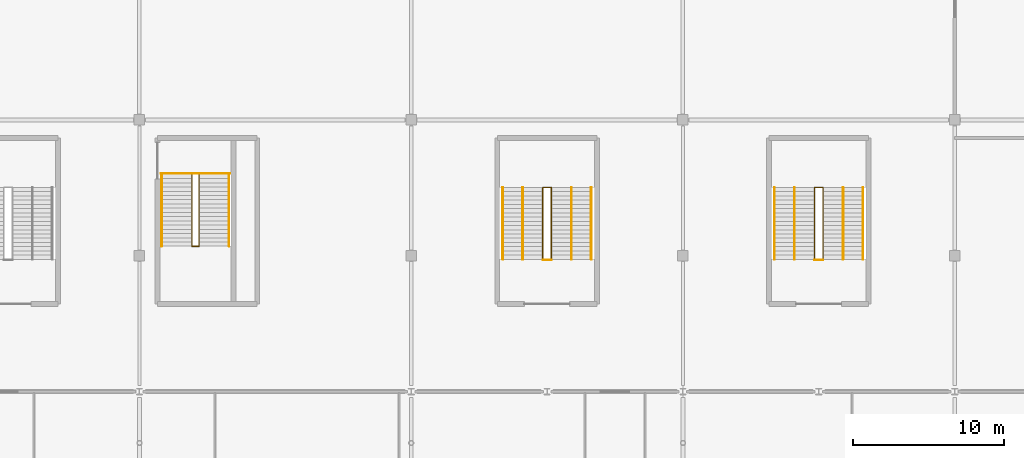
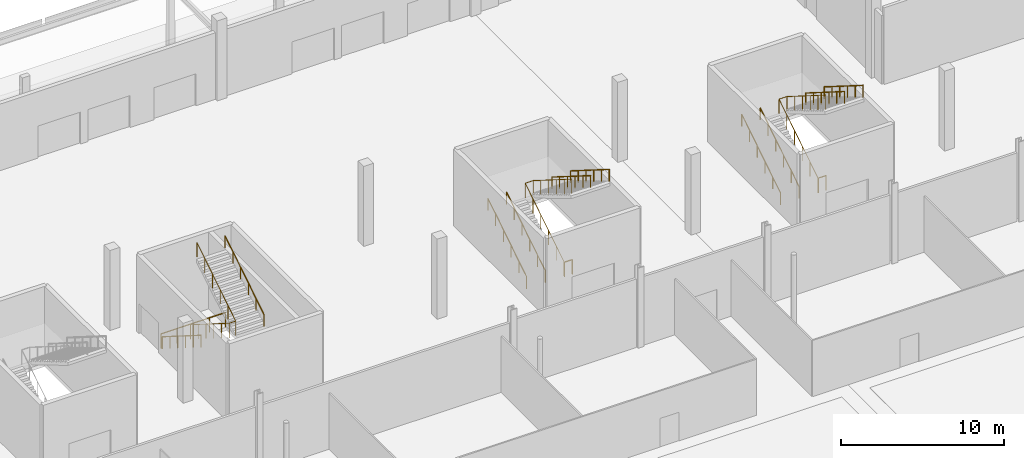
# One storey, part 76 of 84: 16 railings.
"""IFC4 building model written with IfcOpenShell, lengths in metres."""

import ifcopenshell
import ifcopenshell.guid

model = None  # the IFC model being written
_history = None  # IfcOwnerHistory: only IFC2X3 demands one
_inside = {}  # id of a spatial element -> (the spatial element, [elements in it])
_under = {}  # id of a project, library or spatial element -> (it, [spatial elements below it])
_declared = {}  # id of a project -> (the project, [libraries it declares])
_typed = {}  # id of a type object -> (the type object, [elements of that type])
_made_of = {}  # id of a material, layer set ... -> (it, [elements and type objects made of it])


def new_model(schema):
    """Start an empty IFC model of exactly this schema.

    Asked for "IFC4X3", IfcOpenShell would pick the latest addendum, in which some entities
    have other attributes; the version numbers below select the first issue.
    IFC2X3 requires an IfcOwnerHistory on every rooted entity: one is made here for all.
    """
    global model, _history
    if schema == "IFC4X3":
        model = ifcopenshell.file(schema_version=(4, 3, 0, 0))
    else:
        model = ifcopenshell.file(schema=schema)
    _inside.clear()
    _under.clear()
    _declared.clear()
    _typed.clear()
    _made_of.clear()
    _history = None
    if model.schema == "IFC2X3":
        org = make("IfcOrganization", Name="unknown")
        user = make(
            "IfcPersonAndOrganization",
            ThePerson=make("IfcPerson", FamilyName="unknown"),
            TheOrganization=org,
        )
        app = make(
            "IfcApplication",
            ApplicationDeveloper=org,
            Version="unknown",
            ApplicationFullName="unknown",
            ApplicationIdentifier="unknown",
        )
        _history = make(
            "IfcOwnerHistory",
            OwningUser=user,
            OwningApplication=app,
            ChangeAction="ADDED",
            CreationDate=0,
        )
    return model


def make(cls, **values):
    """One entity of the class cls with the attributes given. An attribute that is None is left unset."""
    return model.create_entity(
        cls, **{name: value for name, value in values.items() if value is not None}
    )


def rooted(cls, **values):
    """An entity with a GlobalId (a new one), such as an element, a storey or a relation."""
    return make(cls, GlobalId=ifcopenshell.guid.new(), OwnerHistory=_history, **values)


def si_unit(unit_type, name, prefix=None):
    """IfcSIUnit, for example si_unit("LENGTHUNIT", "METRE", prefix="MILLI")."""
    return make("IfcSIUnit", UnitType=unit_type, Prefix=prefix, Name=name)


def assignment(units):
    """IfcUnitAssignment: the units of a project."""
    return None if units is None else make("IfcUnitAssignment", Units=units)


def point(xyz):
    """IfcCartesianPoint."""
    return None if xyz is None else make("IfcCartesianPoint", Coordinates=xyz)


def direction(xyz):
    """IfcDirection."""
    return None if xyz is None else make("IfcDirection", DirectionRatios=xyz)


def frame(location, z_axis=None, x_axis=None):
    """IfcAxis2Placement3D, a coordinate frame: its origin and axes. An axis left out is left unset."""
    return make(
        "IfcAxis2Placement3D",
        Location=point(location),
        Axis=direction(z_axis),
        RefDirection=direction(x_axis),
    )


def frame_2d(location, x_axis=None):
    """IfcAxis2Placement2D, a coordinate frame in the plane: its origin and x axis."""
    return make(
        "IfcAxis2Placement2D", Location=point(location), RefDirection=direction(x_axis)
    )


def origin():
    """The frame at (0, 0, 0) with its axes left unset."""
    return frame((0.0, 0.0, 0.0))


def origin_2d():
    """The frame at (0, 0) in the plane with its x axis left unset."""
    return frame_2d((0.0, 0.0))


def place(relative_to, where):
    """IfcLocalPlacement: puts the frame where relative to a parent placement (None: the world)."""
    return make(
        "IfcLocalPlacement", PlacementRelTo=relative_to, RelativePlacement=where
    )


def context(
    kind, dimensions, precision=None, world=None, true_north=None, identifier=None
):
    """IfcGeometricRepresentationContext, for example the 3D "Model" context."""
    return make(
        "IfcGeometricRepresentationContext",
        ContextIdentifier=identifier,
        ContextType=kind,
        CoordinateSpaceDimension=dimensions,
        Precision=precision,
        WorldCoordinateSystem=world,
        TrueNorth=true_north,
    )


def subcontext(parent, identifier, kind, view, scale=None):
    """IfcGeometricRepresentationSubContext, for example "Body" below "Model"."""
    return make(
        "IfcGeometricRepresentationSubContext",
        ContextIdentifier=identifier,
        ContextType=kind,
        ParentContext=parent,
        TargetScale=scale,
        TargetView=view,
    )


def project(units=None, contexts=None):
    """IfcProject with its units and contexts."""
    return rooted(
        "IfcProject",
        Name="project",
        RepresentationContexts=contexts,
        UnitsInContext=assignment(units),
    )


def spatial(cls, under=None, at=None, **own):
    """A site, building, storey or space (cls), placed at a placement, below another one or the project."""
    s = rooted(cls, ObjectPlacement=at, **own)
    if under is not None:
        _under.setdefault(under.id(), (under, []))[1].append(s)
    return s


def profile(cls, at=None, kind="AREA", **sizes):
    """A parametric profile (cls). Its sizes go by their IFC names, for example OverallWidth=200.0."""
    return make(cls, ProfileType=kind, Position=at, **sizes)


def circle(**sizes):
    """IfcCircleProfileDef."""
    return profile("IfcCircleProfileDef", **sizes)


def extrude(swept, where, along, depth):
    """IfcExtrudedAreaSolid: the profile swept, set in the frame where, extruded along a direction by depth."""
    return make(
        "IfcExtrudedAreaSolid",
        SweptArea=swept,
        Position=where,
        ExtrudedDirection=direction(along),
        Depth=depth,
    )


def shape(context_of_items, identifier, shape_type, items):
    """IfcShapeRepresentation: the items that make up one representation, for example the "Body"."""
    return make(
        "IfcShapeRepresentation",
        ContextOfItems=context_of_items,
        RepresentationIdentifier=identifier,
        RepresentationType=shape_type,
        Items=items,
    )


def material(Name=None, Category=None):
    """IfcMaterial."""
    return make("IfcMaterial", Name=Name, Category=Category)


def made_of(thing, what):
    """Note that an element or type object is made of a material, layer set ...; save() writes the relation."""
    if what is not None:
        _made_of.setdefault(what.id(), (what, []))[1].append(thing)
    return thing


def type_object(cls, material=None, **own):
    """A type object (cls), such as IfcWallType, which elements share."""
    return made_of(rooted(cls, **own), material)


def element(
    cls,
    number,
    at=None,
    inside=None,
    cuts=None,
    type_object=None,
    material=None,
    context=None,
    identifier="Body",
    shape_type=None,
    held_by="IfcProductDefinitionShape",
    body=None,
    shapes=None,
    **own,
):
    """One element of the class cls, such as IfcWall. Its Tag is "e" and its number.

    at: its placement. inside: the storey or other place that contains it. cuts: it is an
    opening in that element (IfcRelVoidsElement). A single representation is given by context,
    identifier, shape_type and body (its items); several are given by shapes. held_by: the class
    of the entity that holds the representations. save() writes the other relations.
    """
    e = rooted(cls, Tag="e%d" % number, ObjectPlacement=at, **own)
    if body is not None:
        shapes = [shape(context, identifier, shape_type, body)]
    if shapes is not None:
        e.Representation = make(held_by, Representations=shapes)
    if inside is not None:
        _inside.setdefault(inside.id(), (inside, []))[1].append(e)
    if cuts is not None:
        rooted(
            "IfcRelVoidsElement", RelatingBuildingElement=cuts, RelatedOpeningElement=e
        )
    if type_object is not None:
        _typed.setdefault(type_object.id(), (type_object, []))[1].append(e)
    return made_of(e, material)


def aggregate(whole, parts):
    """IfcRelAggregates: a whole, such as a stair, and the parts it consists of."""
    return rooted("IfcRelAggregates", RelatingObject=whole, RelatedObjects=parts)


def save(model, path):
    """Write the relations noted so far, then the file.

    IfcRelAggregates (storeys below a building ...), IfcRelContainedInSpatialStructure (elements
    in a storey), IfcRelDefinesByType, IfcRelAssociatesMaterial and IfcRelDeclares: one each for
    every whole, place, type object, material and project.
    """
    for whole, parts in _under.values():
        aggregate(whole, parts)
    for where, things in _inside.values():
        rooted(
            "IfcRelContainedInSpatialStructure",
            RelatedElements=things,
            RelatingStructure=where,
        )
    for kind, things in _typed.values():
        rooted("IfcRelDefinesByType", RelatedObjects=things, RelatingType=kind)
    for what, things in _made_of.values():
        rooted("IfcRelAssociatesMaterial", RelatedObjects=things, RelatingMaterial=what)
    for by, libraries in _declared.values():
        rooted("IfcRelDeclares", RelatingContext=by, RelatedDefinitions=libraries)
    model.write(path)


model = new_model("IFC4")

# Units and contexts
model_context = context("Model", 3, precision=1e-05, world=origin(), true_north=direction((0.0, 1.0)))
body_context = subcontext(model_context, "Body", "Model", "MODEL_VIEW")
ifc_project = project(units=[si_unit("LENGTHUNIT", "METRE"), si_unit("AREAUNIT", "SQUARE_METRE"), si_unit("VOLUMEUNIT", "CUBIC_METRE"), si_unit("PLANEANGLEUNIT", "RADIAN"), si_unit("MASSUNIT", "GRAM", prefix="KILO")], contexts=[model_context])

# Site, building, storey
site_placement = place(None, origin())
site = spatial("IfcSite", under=ifc_project, at=site_placement, CompositionType="ELEMENT")
building_placement = place(site_placement, origin())
building = spatial("IfcBuilding", under=site, at=building_placement, Name="Kisiwana Market Hall", CompositionType="ELEMENT")
storey_placement = place(building_placement, origin())
storey = spatial("IfcBuildingStorey", under=building, at=storey_placement, Name="L00", CompositionType="ELEMENT", Elevation=0.0)

# Railings
ifc_material_1 = material(Name="Steel S275", Category="steel")
railing_type_1 = type_object("IfcRailingType", Name="RL-GUARD-1100", PredefinedType="GUARDRAIL", material=ifc_material_1)
railing_1_placement = place(storey_placement, frame((66.47998046875, 98.390380859375, 0.0)))
element("IfcRailing", 1, at=railing_1_placement, inside=storey, type_object=railing_type_1, Name="Stair ST-N1-L00 inner-well guardrail (RL-171)", PredefinedType="GUARDRAIL", context=body_context, shape_type="SweptSolid", body=[
    extrude(circle(Radius=0.02392578125, at=origin_2d()), frame((0.0, 0.0, 1.076171875), z_axis=(0.0, -0.845983474072, 0.533209116198), x_axis=(1.0, 0.0, 0.0)), (0.0, 0.0, 1.0), 5.626220703125),
    extrude(circle(Radius=0.02392578125, at=origin_2d()), frame((0.0, -4.759765625, 4.076171875), z_axis=(1.0, 0.0, 0.0), x_axis=(0.0, 1.0, 0.0)), (0.0, 0.0, 1.0), 0.4599609375),
    extrude(circle(Radius=0.02392578125, at=origin_2d()), frame((0.4599609375, -4.759765625, 4.076171875), z_axis=(0.0, 0.845983474072, 0.533209116198), x_axis=(-1.0, 0.0, 0.0)), (0.0, 0.0, 1.0), 5.626220703125),
    extrude(circle(Radius=0.02099609375, at=origin_2d()), origin(), (0.0, 0.0, 1.0), 1.052001953125),
    extrude(circle(Radius=0.02099609375, at=origin_2d()), frame((0.0, -0.951904296875, 0.60009765625)), (0.0, 0.0, 1.0), 1.052001953125),
    extrude(circle(Radius=0.02099609375, at=origin_2d()), frame((0.0, -1.90380859375, 1.199951171875)), (0.0, 0.0, 1.0), 1.052001953125),
    extrude(circle(Radius=0.02099609375, at=origin_2d()), frame((0.0, -2.85595703125, 1.800048828125)), (0.0, 0.0, 1.0), 1.052001953125),
    extrude(circle(Radius=0.02099609375, at=origin_2d()), frame((0.0, -3.807861328125, 2.39990234375)), (0.0, 0.0, 1.0), 1.052001953125),
    extrude(circle(Radius=0.02099609375, at=origin_2d()), frame((0.0, -4.759765625, 3.0)), (0.0, 0.0, 1.0), 1.052001953125),
    extrude(circle(Radius=0.02099609375, at=origin_2d()), frame((0.4599609375, -4.759765625, 3.0)), (0.0, 0.0, 1.0), 1.052001953125),
    extrude(circle(Radius=0.02099609375, at=origin_2d()), frame((0.4599609375, -3.807861328125, 3.60009765625)), (0.0, 0.0, 1.0), 1.052001953125),
    extrude(circle(Radius=0.02099609375, at=origin_2d()), frame((0.4599609375, -2.85595703125, 4.199951171875)), (0.0, 0.0, 1.0), 1.052001953125),
    extrude(circle(Radius=0.02099609375, at=origin_2d()), frame((0.4599609375, -1.90380859375, 4.800048828125)), (0.0, 0.0, 1.0), 1.052001953125),
    extrude(circle(Radius=0.02099609375, at=origin_2d()), frame((0.4599609375, -0.951904296875, 5.39990234375)), (0.0, 0.0, 1.0), 1.052001953125),
    extrude(circle(Radius=0.02099609375, at=origin_2d()), frame((0.4599609375, 0.0, 6.0)), (0.0, 0.0, 1.0), 1.052001953125),
])
railing_2_placement = place(storey_placement, frame((64.419921875, 98.450439453125, 0.0)))
element("IfcRailing", 2, at=railing_2_placement, inside=storey, type_object=railing_type_1, Name="Stair ST-N1-L00 landing edge guardrail (RL-174)", PredefinedType="GUARDRAIL", context=body_context, shape_type="SweptSolid", body=[
    extrude(circle(Radius=0.02392578125, at=origin_2d()), frame((0.0, 0.0, 1.076171875), z_axis=(1.0, 0.0, 0.0), x_axis=(0.0, 1.0, 0.0)), (0.0, 0.0, 1.0), 4.580078125),
    extrude(circle(Radius=0.02099609375, at=origin_2d()), origin(), (0.0, 0.0, 1.0), 1.052001953125),
    extrude(circle(Radius=0.02099609375, at=origin_2d()), frame((1.14501953125, 0.0, 0.0)), (0.0, 0.0, 1.0), 1.052001953125),
    extrude(circle(Radius=0.02099609375, at=origin_2d()), frame((2.2900390625, 0.0, 0.0)), (0.0, 0.0, 1.0), 1.052001953125),
    extrude(circle(Radius=0.02099609375, at=origin_2d()), frame((3.43505859375, 0.0, 0.0)), (0.0, 0.0, 1.0), 1.052001953125),
    extrude(circle(Radius=0.02099609375, at=origin_2d()), frame((4.580078125, 0.0, 0.0)), (0.0, 0.0, 1.0), 1.052001953125),
])
railing_3_placement = place(storey_placement, frame((89.719970703125, 92.760009765625, 0.0)))
element("IfcRailing", 3, at=railing_3_placement, inside=storey, type_object=railing_type_1, Name="Stair ST-N4-L00 inner-well guardrail (RL-281)", PredefinedType="GUARDRAIL", context=body_context, shape_type="SweptSolid", body=[
    extrude(circle(Radius=0.02392578125, at=origin_2d()), frame((0.0, 0.0, 1.076171875), z_axis=(0.0, 0.845995810448, 0.533189542944), x_axis=(-1.0, 0.0, 0.0)), (0.0, 0.0, 1.0), 5.62646484375),
    extrude(circle(Radius=0.02392578125, at=origin_2d()), frame((0.0, 4.760009765625, 4.076171875), z_axis=(1.0, 0.0, 0.0), x_axis=(0.0, 1.0, 0.0)), (0.0, 0.0, 1.0), 0.56005859375),
    extrude(circle(Radius=0.02392578125, at=origin_2d()), frame((0.56005859375, 4.760009765625, 4.076171875), z_axis=(0.0, -0.845995810448, 0.533189542944), x_axis=(1.0, 0.0, 0.0)), (0.0, 0.0, 1.0), 5.62646484375),
    extrude(circle(Radius=0.02099609375, at=origin_2d()), origin(), (0.0, 0.0, 1.0), 1.052001953125),
    extrude(circle(Radius=0.02099609375, at=origin_2d()), frame((0.0, 0.951904296875, 0.60009765625)), (0.0, 0.0, 1.0), 1.052001953125),
    extrude(circle(Radius=0.02099609375, at=origin_2d()), frame((0.0, 1.904052734375, 1.199951171875)), (0.0, 0.0, 1.0), 1.052001953125),
    extrude(circle(Radius=0.02099609375, at=origin_2d()), frame((0.0, 2.85595703125, 1.800048828125)), (0.0, 0.0, 1.0), 1.052001953125),
    extrude(circle(Radius=0.02099609375, at=origin_2d()), frame((0.0, 3.80810546875, 2.39990234375)), (0.0, 0.0, 1.0), 1.052001953125),
    extrude(circle(Radius=0.02099609375, at=origin_2d()), frame((0.0, 4.760009765625, 3.0)), (0.0, 0.0, 1.0), 1.052001953125),
    extrude(circle(Radius=0.02099609375, at=origin_2d()), frame((0.56005859375, 4.760009765625, 3.0)), (0.0, 0.0, 1.0), 1.052001953125),
    extrude(circle(Radius=0.02099609375, at=origin_2d()), frame((0.56005859375, 3.80810546875, 3.60009765625)), (0.0, 0.0, 1.0), 1.052001953125),
    extrude(circle(Radius=0.02099609375, at=origin_2d()), frame((0.56005859375, 2.85595703125, 4.199951171875)), (0.0, 0.0, 1.0), 1.052001953125),
    extrude(circle(Radius=0.02099609375, at=origin_2d()), frame((0.56005859375, 1.904052734375, 4.800048828125)), (0.0, 0.0, 1.0), 1.052001953125),
    extrude(circle(Radius=0.02099609375, at=origin_2d()), frame((0.56005859375, 0.951904296875, 5.39990234375)), (0.0, 0.0, 1.0), 1.052001953125),
    extrude(circle(Radius=0.02099609375, at=origin_2d()), frame((0.56005859375, 0.0, 6.0)), (0.0, 0.0, 1.0), 1.052001953125),
])
railing_4_placement = place(storey_placement, frame((89.719970703125, 92.7099609375, 0.0)))
element("IfcRailing", 4, at=railing_4_placement, inside=storey, type_object=railing_type_1, Name="Stair ST-N4-L00 landing edge guardrail (RL-286)", PredefinedType="GUARDRAIL", context=body_context, shape_type="SweptSolid", body=[
    extrude(circle(Radius=0.02392578125, at=origin_2d()), frame((0.0, 0.0, 1.076171875), z_axis=(1.0, 0.0, 0.0), x_axis=(0.0, 1.0, 0.0)), (0.0, 0.0, 1.0), 0.56005859375),
    extrude(circle(Radius=0.02099609375, at=origin_2d()), origin(), (0.0, 0.0, 1.0), 1.052001953125),
    extrude(circle(Radius=0.02099609375, at=origin_2d()), frame((0.56005859375, 0.0, 0.0)), (0.0, 0.0, 1.0), 1.052001953125),
])
railing_5_placement = place(storey_placement, frame((107.719970703125, 92.760009765625, 0.0)))
element("IfcRailing", 5, at=railing_5_placement, inside=storey, type_object=railing_type_1, Name="Stair ST-N5-L00 inner-well guardrail (RL-293)", PredefinedType="GUARDRAIL", context=body_context, shape_type="SweptSolid", body=[
    extrude(circle(Radius=0.02392578125, at=origin_2d()), frame((0.0, 0.0, 1.076171875), z_axis=(0.0, 0.845995810448, 0.533189542944), x_axis=(-1.0, 0.0, 0.0)), (0.0, 0.0, 1.0), 5.62646484375),
    extrude(circle(Radius=0.02392578125, at=origin_2d()), frame((0.0, 4.760009765625, 4.076171875), z_axis=(1.0, 0.0, 0.0), x_axis=(0.0, 1.0, 0.0)), (0.0, 0.0, 1.0), 0.56005859375),
    extrude(circle(Radius=0.02392578125, at=origin_2d()), frame((0.56005859375, 4.760009765625, 4.076171875), z_axis=(0.0, -0.845995810448, 0.533189542944), x_axis=(1.0, 0.0, 0.0)), (0.0, 0.0, 1.0), 5.62646484375),
    extrude(circle(Radius=0.02099609375, at=origin_2d()), origin(), (0.0, 0.0, 1.0), 1.052001953125),
    extrude(circle(Radius=0.02099609375, at=origin_2d()), frame((0.0, 0.951904296875, 0.60009765625)), (0.0, 0.0, 1.0), 1.052001953125),
    extrude(circle(Radius=0.02099609375, at=origin_2d()), frame((0.0, 1.904052734375, 1.199951171875)), (0.0, 0.0, 1.0), 1.052001953125),
    extrude(circle(Radius=0.02099609375, at=origin_2d()), frame((0.0, 2.85595703125, 1.800048828125)), (0.0, 0.0, 1.0), 1.052001953125),
    extrude(circle(Radius=0.02099609375, at=origin_2d()), frame((0.0, 3.80810546875, 2.39990234375)), (0.0, 0.0, 1.0), 1.052001953125),
    extrude(circle(Radius=0.02099609375, at=origin_2d()), frame((0.0, 4.760009765625, 3.0)), (0.0, 0.0, 1.0), 1.052001953125),
    extrude(circle(Radius=0.02099609375, at=origin_2d()), frame((0.56005859375, 4.760009765625, 3.0)), (0.0, 0.0, 1.0), 1.052001953125),
    extrude(circle(Radius=0.02099609375, at=origin_2d()), frame((0.56005859375, 3.80810546875, 3.60009765625)), (0.0, 0.0, 1.0), 1.052001953125),
    extrude(circle(Radius=0.02099609375, at=origin_2d()), frame((0.56005859375, 2.85595703125, 4.199951171875)), (0.0, 0.0, 1.0), 1.052001953125),
    extrude(circle(Radius=0.02099609375, at=origin_2d()), frame((0.56005859375, 1.904052734375, 4.800048828125)), (0.0, 0.0, 1.0), 1.052001953125),
    extrude(circle(Radius=0.02099609375, at=origin_2d()), frame((0.56005859375, 0.951904296875, 5.39990234375)), (0.0, 0.0, 1.0), 1.052001953125),
    extrude(circle(Radius=0.02099609375, at=origin_2d()), frame((0.56005859375, 0.0, 6.0)), (0.0, 0.0, 1.0), 1.052001953125),
])
railing_6_placement = place(storey_placement, frame((107.719970703125, 92.7099609375, 0.0)))
element("IfcRailing", 6, at=railing_6_placement, inside=storey, type_object=railing_type_1, Name="Stair ST-N5-L00 landing edge guardrail (RL-298)", PredefinedType="GUARDRAIL", context=body_context, shape_type="SweptSolid", body=[
    extrude(circle(Radius=0.02392578125, at=origin_2d()), frame((0.0, 0.0, 1.076171875), z_axis=(1.0, 0.0, 0.0), x_axis=(0.0, 1.0, 0.0)), (0.0, 0.0, 1.0), 0.56005859375),
    extrude(circle(Radius=0.02099609375, at=origin_2d()), origin(), (0.0, 0.0, 1.0), 1.052001953125),
    extrude(circle(Radius=0.02099609375, at=origin_2d()), frame((0.56005859375, 0.0, 0.0)), (0.0, 0.0, 1.0), 1.052001953125),
])
ifc_material_2 = material(Name="Steel S275", Category="steel")
railing_type_2 = type_object("IfcRailingType", Name="RL-HAND-900", PredefinedType="HANDRAIL", material=ifc_material_2)
railing_7_placement = place(storey_placement, frame((64.47998046875, 98.390380859375, 0.0)))
element("IfcRailing", 7, at=railing_7_placement, inside=storey, type_object=railing_type_2, Name="Stair ST-N1-L00 flight 1 handrail (RL-172)", PredefinedType="HANDRAIL", context=body_context, shape_type="SweptSolid", body=[
    extrude(circle(Radius=0.02392578125, at=origin_2d()), frame((0.0, 0.0, 0.8759765625), z_axis=(0.0, -0.845983474072, 0.533209116198), x_axis=(1.0, 0.0, 0.0)), (0.0, 0.0, 1.0), 5.626220703125),
    extrude(circle(Radius=0.02099609375, at=origin_2d()), origin(), (0.0, 0.0, 1.0), 0.851806640625),
    extrude(circle(Radius=0.02099609375, at=origin_2d()), frame((0.0, -0.951904296875, 0.60009765625)), (0.0, 0.0, 1.0), 0.851806640625),
    extrude(circle(Radius=0.02099609375, at=origin_2d()), frame((0.0, -1.90380859375, 1.199951171875)), (0.0, 0.0, 1.0), 0.851806640625),
    extrude(circle(Radius=0.02099609375, at=origin_2d()), frame((0.0, -2.85595703125, 1.800048828125)), (0.0, 0.0, 1.0), 0.851806640625),
    extrude(circle(Radius=0.02099609375, at=origin_2d()), frame((0.0, -3.807861328125, 2.39990234375)), (0.0, 0.0, 1.0), 0.851806640625),
    extrude(circle(Radius=0.02099609375, at=origin_2d()), frame((0.0, -4.759765625, 3.0)), (0.0, 0.0, 1.0), 0.851806640625),
])
railing_8_placement = place(storey_placement, frame((68.93994140625, 93.630615234375, 3.0)))
element("IfcRailing", 8, at=railing_8_placement, inside=storey, type_object=railing_type_2, Name="Stair ST-N1-L00 flight 2 handrail (RL-173)", PredefinedType="HANDRAIL", context=body_context, shape_type="SweptSolid", body=[
    extrude(circle(Radius=0.02392578125, at=origin_2d()), frame((0.0, 0.0, 0.8759765625), z_axis=(0.0, 0.845983474072, 0.533209116198), x_axis=(-1.0, 0.0, 0.0)), (0.0, 0.0, 1.0), 5.626220703125),
    extrude(circle(Radius=0.02099609375, at=origin_2d()), origin(), (0.0, 0.0, 1.0), 0.851806640625),
    extrude(circle(Radius=0.02099609375, at=origin_2d()), frame((0.0, 0.951904296875, 0.60009765625)), (0.0, 0.0, 1.0), 0.851806640625),
    extrude(circle(Radius=0.02099609375, at=origin_2d()), frame((0.0, 1.90380859375, 1.199951171875)), (0.0, 0.0, 1.0), 0.851806640625),
    extrude(circle(Radius=0.02099609375, at=origin_2d()), frame((0.0, 2.85595703125, 1.800048828125)), (0.0, 0.0, 1.0), 0.851806640625),
    extrude(circle(Radius=0.02099609375, at=origin_2d()), frame((0.0, 3.807861328125, 2.39990234375)), (0.0, 0.0, 1.0), 0.851806640625),
    extrude(circle(Radius=0.02099609375, at=origin_2d()), frame((0.0, 4.759765625, 3.0)), (0.0, 0.0, 1.0), 0.851806640625),
])
railing_9_placement = place(storey_placement, frame((87.070068359375, 92.760009765625, 0.0)))
element("IfcRailing", 9, at=railing_9_placement, inside=storey, type_object=railing_type_2, Name="Stair ST-N4-L00 flight 1 handrail (RL-282)", PredefinedType="HANDRAIL", context=body_context, shape_type="SweptSolid", body=[
    extrude(circle(Radius=0.02392578125, at=origin_2d()), frame((0.0, 0.0, 0.8759765625), z_axis=(0.0, 0.845995810448, 0.533189542944), x_axis=(-1.0, 0.0, 0.0)), (0.0, 0.0, 1.0), 5.62646484375),
    extrude(circle(Radius=0.02099609375, at=origin_2d()), origin(), (0.0, 0.0, 1.0), 0.851806640625),
    extrude(circle(Radius=0.02099609375, at=origin_2d()), frame((0.0, 0.951904296875, 0.60009765625)), (0.0, 0.0, 1.0), 0.851806640625),
    extrude(circle(Radius=0.02099609375, at=origin_2d()), frame((0.0, 1.904052734375, 1.199951171875)), (0.0, 0.0, 1.0), 0.851806640625),
    extrude(circle(Radius=0.02099609375, at=origin_2d()), frame((0.0, 2.85595703125, 1.800048828125)), (0.0, 0.0, 1.0), 0.851806640625),
    extrude(circle(Radius=0.02099609375, at=origin_2d()), frame((0.0, 3.80810546875, 2.39990234375)), (0.0, 0.0, 1.0), 0.851806640625),
    extrude(circle(Radius=0.02099609375, at=origin_2d()), frame((0.0, 4.760009765625, 3.0)), (0.0, 0.0, 1.0), 0.851806640625),
])
railing_10_placement = place(storey_placement, frame((92.929931640625, 97.52001953125, 3.0)))
element("IfcRailing", 10, at=railing_10_placement, inside=storey, type_object=railing_type_2, Name="Stair ST-N4-L00 flight 2 handrail (RL-283)", PredefinedType="HANDRAIL", context=body_context, shape_type="SweptSolid", body=[
    extrude(circle(Radius=0.02392578125, at=origin_2d()), frame((0.0, 0.0, 0.8759765625), z_axis=(0.0, -0.845995810448, 0.533189542944), x_axis=(1.0, 0.0, 0.0)), (0.0, 0.0, 1.0), 5.62646484375),
    extrude(circle(Radius=0.02099609375, at=origin_2d()), origin(), (0.0, 0.0, 1.0), 0.851806640625),
    extrude(circle(Radius=0.02099609375, at=origin_2d()), frame((0.0, -0.951904296875, 0.60009765625)), (0.0, 0.0, 1.0), 0.851806640625),
    extrude(circle(Radius=0.02099609375, at=origin_2d()), frame((0.0, -1.904052734375, 1.199951171875)), (0.0, 0.0, 1.0), 0.851806640625),
    extrude(circle(Radius=0.02099609375, at=origin_2d()), frame((0.0, -2.85595703125, 1.800048828125)), (0.0, 0.0, 1.0), 0.851806640625),
    extrude(circle(Radius=0.02099609375, at=origin_2d()), frame((0.0, -3.80810546875, 2.39990234375)), (0.0, 0.0, 1.0), 0.851806640625),
    extrude(circle(Radius=0.02099609375, at=origin_2d()), frame((0.0, -4.760009765625, 3.0)), (0.0, 0.0, 1.0), 0.851806640625),
])
railing_11_placement = place(storey_placement, frame((88.389892578125, 92.760009765625, 0.0)))
element("IfcRailing", 11, at=railing_11_placement, inside=storey, type_object=railing_type_2, Name="Stair ST-N4-L00 flight 1 intermediate handrail (RL-284)", PredefinedType="HANDRAIL", context=body_context, shape_type="SweptSolid", body=[
    extrude(circle(Radius=0.02392578125, at=origin_2d()), frame((0.0, 0.0, 0.8759765625), z_axis=(0.0, 0.845995810448, 0.533189542944), x_axis=(-1.0, 0.0, 0.0)), (0.0, 0.0, 1.0), 5.62646484375),
    extrude(circle(Radius=0.02099609375, at=origin_2d()), origin(), (0.0, 0.0, 1.0), 0.851806640625),
    extrude(circle(Radius=0.02099609375, at=origin_2d()), frame((0.0, 0.951904296875, 0.60009765625)), (0.0, 0.0, 1.0), 0.851806640625),
    extrude(circle(Radius=0.02099609375, at=origin_2d()), frame((0.0, 1.904052734375, 1.199951171875)), (0.0, 0.0, 1.0), 0.851806640625),
    extrude(circle(Radius=0.02099609375, at=origin_2d()), frame((0.0, 2.85595703125, 1.800048828125)), (0.0, 0.0, 1.0), 0.851806640625),
    extrude(circle(Radius=0.02099609375, at=origin_2d()), frame((0.0, 3.80810546875, 2.39990234375)), (0.0, 0.0, 1.0), 0.851806640625),
    extrude(circle(Radius=0.02099609375, at=origin_2d()), frame((0.0, 4.760009765625, 3.0)), (0.0, 0.0, 1.0), 0.851806640625),
])
railing_12_placement = place(storey_placement, frame((91.610107421875, 97.52001953125, 3.0)))
element("IfcRailing", 12, at=railing_12_placement, inside=storey, type_object=railing_type_2, Name="Stair ST-N4-L00 flight 2 intermediate handrail (RL-285)", PredefinedType="HANDRAIL", context=body_context, shape_type="SweptSolid", body=[
    extrude(circle(Radius=0.02392578125, at=origin_2d()), frame((0.0, 0.0, 0.8759765625), z_axis=(0.0, -0.845995810448, 0.533189542944), x_axis=(1.0, 0.0, 0.0)), (0.0, 0.0, 1.0), 5.62646484375),
    extrude(circle(Radius=0.02099609375, at=origin_2d()), origin(), (0.0, 0.0, 1.0), 0.851806640625),
    extrude(circle(Radius=0.02099609375, at=origin_2d()), frame((0.0, -0.951904296875, 0.60009765625)), (0.0, 0.0, 1.0), 0.851806640625),
    extrude(circle(Radius=0.02099609375, at=origin_2d()), frame((0.0, -1.904052734375, 1.199951171875)), (0.0, 0.0, 1.0), 0.851806640625),
    extrude(circle(Radius=0.02099609375, at=origin_2d()), frame((0.0, -2.85595703125, 1.800048828125)), (0.0, 0.0, 1.0), 0.851806640625),
    extrude(circle(Radius=0.02099609375, at=origin_2d()), frame((0.0, -3.80810546875, 2.39990234375)), (0.0, 0.0, 1.0), 0.851806640625),
    extrude(circle(Radius=0.02099609375, at=origin_2d()), frame((0.0, -4.760009765625, 3.0)), (0.0, 0.0, 1.0), 0.851806640625),
])
railing_13_placement = place(storey_placement, frame((105.070068359375, 92.760009765625, 0.0)))
element("IfcRailing", 13, at=railing_13_placement, inside=storey, type_object=railing_type_2, Name="Stair ST-N5-L00 flight 1 handrail (RL-294)", PredefinedType="HANDRAIL", context=body_context, shape_type="SweptSolid", body=[
    extrude(circle(Radius=0.02392578125, at=origin_2d()), frame((0.0, 0.0, 0.8759765625), z_axis=(0.0, 0.845995810448, 0.533189542944), x_axis=(-1.0, 0.0, 0.0)), (0.0, 0.0, 1.0), 5.62646484375),
    extrude(circle(Radius=0.02099609375, at=origin_2d()), origin(), (0.0, 0.0, 1.0), 0.851806640625),
    extrude(circle(Radius=0.02099609375, at=origin_2d()), frame((0.0, 0.951904296875, 0.60009765625)), (0.0, 0.0, 1.0), 0.851806640625),
    extrude(circle(Radius=0.02099609375, at=origin_2d()), frame((0.0, 1.904052734375, 1.199951171875)), (0.0, 0.0, 1.0), 0.851806640625),
    extrude(circle(Radius=0.02099609375, at=origin_2d()), frame((0.0, 2.85595703125, 1.800048828125)), (0.0, 0.0, 1.0), 0.851806640625),
    extrude(circle(Radius=0.02099609375, at=origin_2d()), frame((0.0, 3.80810546875, 2.39990234375)), (0.0, 0.0, 1.0), 0.851806640625),
    extrude(circle(Radius=0.02099609375, at=origin_2d()), frame((0.0, 4.760009765625, 3.0)), (0.0, 0.0, 1.0), 0.851806640625),
])
railing_14_placement = place(storey_placement, frame((110.929931640625, 97.52001953125, 3.0)))
element("IfcRailing", 14, at=railing_14_placement, inside=storey, type_object=railing_type_2, Name="Stair ST-N5-L00 flight 2 handrail (RL-295)", PredefinedType="HANDRAIL", context=body_context, shape_type="SweptSolid", body=[
    extrude(circle(Radius=0.02392578125, at=origin_2d()), frame((0.0, 0.0, 0.8759765625), z_axis=(0.0, -0.845995810448, 0.533189542944), x_axis=(1.0, 0.0, 0.0)), (0.0, 0.0, 1.0), 5.62646484375),
    extrude(circle(Radius=0.02099609375, at=origin_2d()), origin(), (0.0, 0.0, 1.0), 0.851806640625),
    extrude(circle(Radius=0.02099609375, at=origin_2d()), frame((0.0, -0.951904296875, 0.60009765625)), (0.0, 0.0, 1.0), 0.851806640625),
    extrude(circle(Radius=0.02099609375, at=origin_2d()), frame((0.0, -1.904052734375, 1.199951171875)), (0.0, 0.0, 1.0), 0.851806640625),
    extrude(circle(Radius=0.02099609375, at=origin_2d()), frame((0.0, -2.85595703125, 1.800048828125)), (0.0, 0.0, 1.0), 0.851806640625),
    extrude(circle(Radius=0.02099609375, at=origin_2d()), frame((0.0, -3.80810546875, 2.39990234375)), (0.0, 0.0, 1.0), 0.851806640625),
    extrude(circle(Radius=0.02099609375, at=origin_2d()), frame((0.0, -4.760009765625, 3.0)), (0.0, 0.0, 1.0), 0.851806640625),
])
railing_15_placement = place(storey_placement, frame((106.389892578125, 92.760009765625, 0.0)))
element("IfcRailing", 15, at=railing_15_placement, inside=storey, type_object=railing_type_2, Name="Stair ST-N5-L00 flight 1 intermediate handrail (RL-296)", PredefinedType="HANDRAIL", context=body_context, shape_type="SweptSolid", body=[
    extrude(circle(Radius=0.02392578125, at=origin_2d()), frame((0.0, 0.0, 0.8759765625), z_axis=(0.0, 0.845995810448, 0.533189542944), x_axis=(-1.0, 0.0, 0.0)), (0.0, 0.0, 1.0), 5.62646484375),
    extrude(circle(Radius=0.02099609375, at=origin_2d()), origin(), (0.0, 0.0, 1.0), 0.851806640625),
    extrude(circle(Radius=0.02099609375, at=origin_2d()), frame((0.0, 0.951904296875, 0.60009765625)), (0.0, 0.0, 1.0), 0.851806640625),
    extrude(circle(Radius=0.02099609375, at=origin_2d()), frame((0.0, 1.904052734375, 1.199951171875)), (0.0, 0.0, 1.0), 0.851806640625),
    extrude(circle(Radius=0.02099609375, at=origin_2d()), frame((0.0, 2.85595703125, 1.800048828125)), (0.0, 0.0, 1.0), 0.851806640625),
    extrude(circle(Radius=0.02099609375, at=origin_2d()), frame((0.0, 3.80810546875, 2.39990234375)), (0.0, 0.0, 1.0), 0.851806640625),
    extrude(circle(Radius=0.02099609375, at=origin_2d()), frame((0.0, 4.760009765625, 3.0)), (0.0, 0.0, 1.0), 0.851806640625),
])
railing_16_placement = place(storey_placement, frame((109.610107421875, 97.52001953125, 3.0)))
element("IfcRailing", 16, at=railing_16_placement, inside=storey, type_object=railing_type_2, Name="Stair ST-N5-L00 flight 2 intermediate handrail (RL-297)", PredefinedType="HANDRAIL", context=body_context, shape_type="SweptSolid", body=[
    extrude(circle(Radius=0.02392578125, at=origin_2d()), frame((0.0, 0.0, 0.8759765625), z_axis=(0.0, -0.845995810448, 0.533189542944), x_axis=(1.0, 0.0, 0.0)), (0.0, 0.0, 1.0), 5.62646484375),
    extrude(circle(Radius=0.02099609375, at=origin_2d()), origin(), (0.0, 0.0, 1.0), 0.851806640625),
    extrude(circle(Radius=0.02099609375, at=origin_2d()), frame((0.0, -0.951904296875, 0.60009765625)), (0.0, 0.0, 1.0), 0.851806640625),
    extrude(circle(Radius=0.02099609375, at=origin_2d()), frame((0.0, -1.904052734375, 1.199951171875)), (0.0, 0.0, 1.0), 0.851806640625),
    extrude(circle(Radius=0.02099609375, at=origin_2d()), frame((0.0, -2.85595703125, 1.800048828125)), (0.0, 0.0, 1.0), 0.851806640625),
    extrude(circle(Radius=0.02099609375, at=origin_2d()), frame((0.0, -3.80810546875, 2.39990234375)), (0.0, 0.0, 1.0), 0.851806640625),
    extrude(circle(Radius=0.02099609375, at=origin_2d()), frame((0.0, -4.760009765625, 3.0)), (0.0, 0.0, 1.0), 0.851806640625),
])

save(model, "model.ifc")
